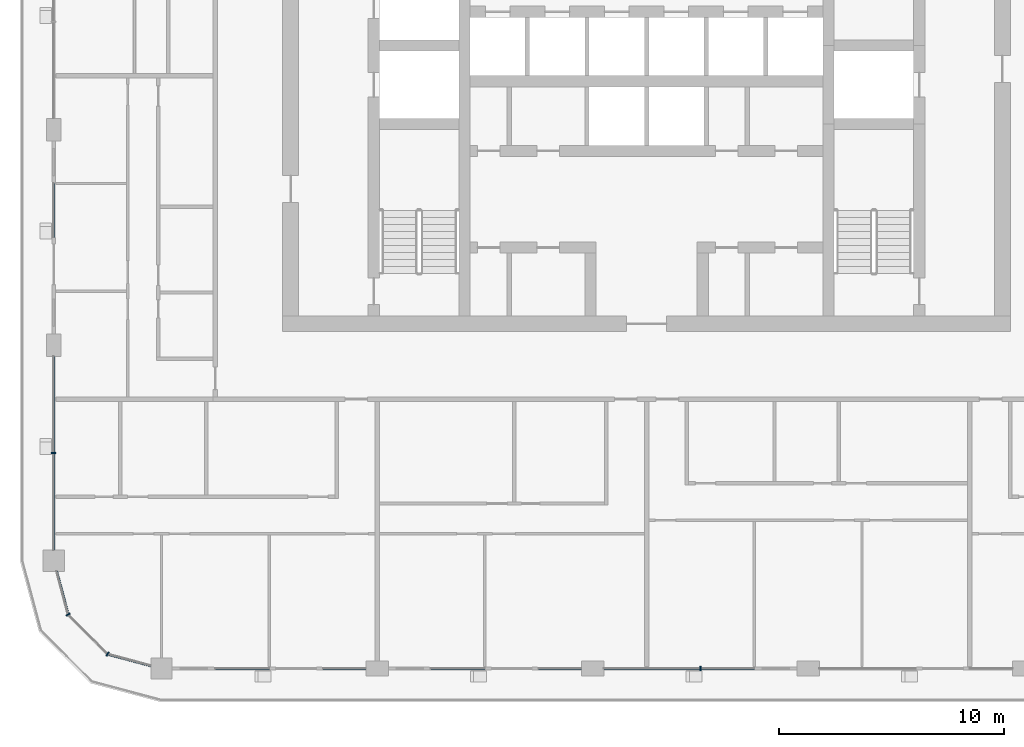
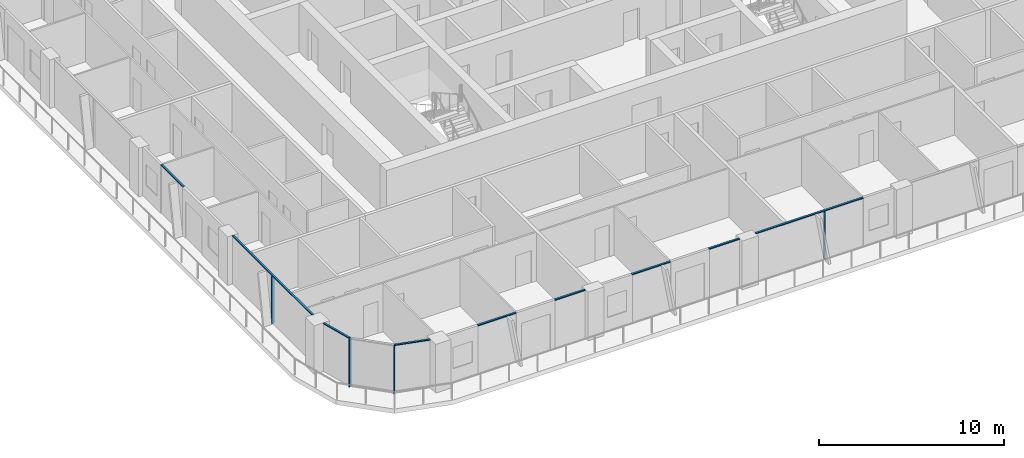
# One storey, part 2 of 22: 13 members, 6 elements without a shape of their own.
"""IFC4 building model written with IfcOpenShell, lengths in metres."""

from ifc_helpers import new_model, si_unit, direction, frame, origin, origin_2d, place, context, subcontext, project, spatial, rectangle, extrude, material, layer, layer_set, material_profile, profile_set, type_object, element, aggregate, save


model = new_model("IFC4")

# Units and contexts
model_context = context("Model", 3, precision=1e-05, world=origin(), true_north=direction((0.0, 1.0)))
body_context = subcontext(model_context, "Body", "Model", "MODEL_VIEW")
ifc_project = project(units=[si_unit("LENGTHUNIT", "METRE"), si_unit("AREAUNIT", "SQUARE_METRE"), si_unit("VOLUMEUNIT", "CUBIC_METRE"), si_unit("PLANEANGLEUNIT", "RADIAN"), si_unit("MASSUNIT", "GRAM", prefix="KILO")], contexts=[model_context])

# Site, building, storey
site_placement = place(None, origin())
site = spatial("IfcSite", under=ifc_project, at=site_placement, CompositionType="ELEMENT")
building_placement = place(site_placement, origin())
building = spatial("IfcBuilding", under=site, at=building_placement, Name="Madar Terraces", CompositionType="ELEMENT")
storey_placement = place(building_placement, frame((0.0, 0.0, 189.39990234375)))
storey = spatial("IfcBuildingStorey", under=building, at=storey_placement, Name="L49", CompositionType="ELEMENT", Elevation=189.39990234375)

# Curtain wall, member
ifc_material_1 = material(Name="Glass, ceramic frit dark grey, with black aluminium frame", Category="aluminium")
ifc_layer = layer(ifc_material_1, 0.199951171875)
ifc_layer_set = layer_set([ifc_layer], Name="Facade curtain wall, fritted glass")
curtain_wall_type = type_object("IfcCurtainWallType", Name="Facade curtain wall, fritted glass", PredefinedType="NOTDEFINED", material=ifc_layer_set)
curtain_wall_1_placement = place(storey_placement, origin())
curtain_wall_1 = element("IfcCurtainWall", 1, at=curtain_wall_1_placement, inside=storey, type_object=curtain_wall_type, Name="Outer skin curtain wall south bay 3", PredefinedType="NOTDEFINED")
ifc_material_2 = material(Name="Aluminium, black anodised", Category="aluminium")
ifc_material_profile_1 = material_profile(ifc_material_2, rectangle(XDim=0.199951171875, YDim=0.06005859375, at=origin_2d()), Name="Facade mullion 60x200")
ifc_profile_set_1 = profile_set([ifc_material_profile_1], Name="Aluminium, black anodised")
member_type_1 = type_object("IfcMemberType", Name="Facade mullion 60x200", PredefinedType="MULLION", material=ifc_profile_set_1)
member_1_placement = place(storey_placement, frame((33.60009765625, 0.0, 0.0), z_axis=(0.0, 0.0, 1.0), x_axis=(0.0, 1.0, 0.0)))
member_1 = element("IfcMember", 2, at=member_1_placement, type_object=member_type_1, Name="Mullion 1", PredefinedType="MULLION", context=body_context, shape_type="SweptSolid", body=[
    extrude(rectangle(XDim=0.199951171875, YDim=0.06005859375, at=origin_2d()), origin(), (0.0, 0.0, 1.0), 3.14013671875),
])

curtain_wall_2_placement = place(storey_placement, origin())
curtain_wall_2 = element("IfcCurtainWall", 3, at=curtain_wall_2_placement, inside=storey, type_object=curtain_wall_type, Name="Outer skin curtain wall west bay 4", PredefinedType="NOTDEFINED")
member_2_placement = place(storey_placement, frame((4.800048828125, 9.60009765625, 0.0), z_axis=(0.0, 0.0, 1.0), x_axis=(1.0, 0.0, 0.0)))
member_2 = element("IfcMember", 4, at=member_2_placement, type_object=member_type_1, Name="Mullion 1", PredefinedType="MULLION", context=body_context, shape_type="SweptSolid", body=[
    extrude(rectangle(XDim=0.199951171875, YDim=0.06005859375, at=origin_2d()), origin(), (0.0, 0.0, 1.0), 3.14013671875),
])

# Curtain wall, members
curtain_wall_3_placement = place(storey_placement, origin())
curtain_wall_3 = element("IfcCurtainWall", 5, at=curtain_wall_3_placement, inside=storey, type_object=curtain_wall_type, Name="Outer skin curtain wall south-west corner", PredefinedType="NOTDEFINED")
member_3_placement = place(storey_placement, frame((5.443115234375, 2.39990234375, 0.0), z_axis=(0.0, 0.0, 1.0), x_axis=(0.866025409797, 0.499999989586, 0.0)))
member_3 = element("IfcMember", 6, at=member_3_placement, type_object=member_type_1, Name="Mullion 1", PredefinedType="MULLION", context=body_context, shape_type="SweptSolid", body=[
    extrude(rectangle(XDim=0.199951171875, YDim=0.06005859375, at=origin_2d()), origin(), (0.0, 0.0, 1.0), 3.14013671875),
])
member_4_placement = place(storey_placement, frame((7.199951171875, 0.64306640625, 0.0), z_axis=(0.0, 0.0, 1.0), x_axis=(0.499999989586, 0.866025409797, 0.0)))
member_4 = element("IfcMember", 7, at=member_4_placement, type_object=member_type_1, Name="Mullion 2", PredefinedType="MULLION", context=body_context, shape_type="SweptSolid", body=[
    extrude(rectangle(XDim=0.199951171875, YDim=0.06005859375, at=origin_2d()), origin(), (0.0, 0.0, 1.0), 3.14013671875),
])

curtain_wall_4_placement = place(storey_placement, origin())
curtain_wall_4 = element("IfcCurtainWall", 8, at=curtain_wall_4_placement, inside=storey, type_object=curtain_wall_type, Name="Outer skin curtain wall south bay 1", PredefinedType="NOTDEFINED")
ifc_material_3 = material(Name="Aluminium, black anodised", Category="aluminium")
ifc_material_profile_2 = material_profile(ifc_material_3, rectangle(XDim=0.1201171875, YDim=0.06005859375, at=origin_2d()), Name="Facade transom 60x120")
ifc_profile_set_2 = profile_set([ifc_material_profile_2], Name="Aluminium, black anodised")
member_type_2 = type_object("IfcMemberType", Name="Facade transom 60x120", PredefinedType="USERDEFINED", material=ifc_profile_set_2)
member_5_placement = place(storey_placement, frame((12.0, 0.0, 3.170166015625), z_axis=(1.0, 0.0, 0.0), x_axis=(0.0, 1.0, 0.0)))
member_5 = element("IfcMember", 9, at=member_5_placement, type_object=member_type_2, Name="Transom 1", ObjectType="TRANSOM", PredefinedType="USERDEFINED", context=body_context, shape_type="SweptSolid", body=[
    extrude(rectangle(XDim=0.1201171875, YDim=0.06005859375, at=origin_2d()), origin(), (0.0, 0.0, 1.0), 2.39990234375),
])
member_6_placement = place(storey_placement, frame((16.800048828125, 0.0, 3.170166015625), z_axis=(1.0, 0.0, 0.0), x_axis=(0.0, 1.0, 0.0)))
member_6 = element("IfcMember", 10, at=member_6_placement, type_object=member_type_2, Name="Transom 2", ObjectType="TRANSOM", PredefinedType="USERDEFINED", context=body_context, shape_type="SweptSolid", body=[
    extrude(rectangle(XDim=0.1201171875, YDim=0.06005859375, at=origin_2d()), origin(), (0.0, 0.0, 1.0), 1.89990234375),
])
aggregate(curtain_wall_4, [member_5, member_6])

curtain_wall_5_placement = place(storey_placement, origin())
curtain_wall_5 = element("IfcCurtainWall", 11, at=curtain_wall_5_placement, inside=storey, type_object=curtain_wall_type, Name="Outer skin curtain wall south bay 2", PredefinedType="NOTDEFINED")
member_7_placement = place(storey_placement, frame((21.60009765625, 0.0, 3.170166015625), z_axis=(1.0, 0.0, 0.0), x_axis=(0.0, 1.0, 0.0)))
member_7 = element("IfcMember", 12, at=member_7_placement, type_object=member_type_2, Name="Transom 1", ObjectType="TRANSOM", PredefinedType="USERDEFINED", context=body_context, shape_type="SweptSolid", body=[
    extrude(rectangle(XDim=0.1201171875, YDim=0.06005859375, at=origin_2d()), origin(), (0.0, 0.0, 1.0), 2.39990234375),
])
member_8_placement = place(storey_placement, frame((26.39990234375, 0.0, 3.170166015625), z_axis=(1.0, 0.0, 0.0), x_axis=(0.0, 1.0, 0.0)))
member_8 = element("IfcMember", 13, at=member_8_placement, type_object=member_type_2, Name="Transom 2", ObjectType="TRANSOM", PredefinedType="USERDEFINED", context=body_context, shape_type="SweptSolid", body=[
    extrude(rectangle(XDim=0.1201171875, YDim=0.06005859375, at=origin_2d()), origin(), (0.0, 0.0, 1.0), 1.900146484375),
])
aggregate(curtain_wall_5, [member_7, member_8])

# Member
member_9_placement = place(storey_placement, frame((29.300048828125, 0.0, 3.170166015625), z_axis=(1.0, 0.0, 0.0), x_axis=(0.0, 1.0, 0.0)))
member_9 = element("IfcMember", 14, at=member_9_placement, type_object=member_type_2, Name="Transom 1", ObjectType="TRANSOM", PredefinedType="USERDEFINED", context=body_context, shape_type="SweptSolid", body=[
    extrude(rectangle(XDim=0.1201171875, YDim=0.06005859375, at=origin_2d()), origin(), (0.0, 0.0, 1.0), 6.699951171875),
])

aggregate(curtain_wall_1, [member_1, member_9])

# Curtain wall, member
curtain_wall_6_placement = place(storey_placement, origin())
curtain_wall_6 = element("IfcCurtainWall", 15, at=curtain_wall_6_placement, inside=storey, type_object=curtain_wall_type, Name="Outer skin curtain wall west bay 3", PredefinedType="NOTDEFINED")
member_10_placement = place(storey_placement, frame((4.800048828125, 21.60009765625, 3.170166015625), z_axis=(0.0, -1.0, 0.0), x_axis=(1.0, 0.0, 0.0)))
member_10 = element("IfcMember", 16, at=member_10_placement, type_object=member_type_2, Name="Transom 1", ObjectType="TRANSOM", PredefinedType="USERDEFINED", context=body_context, shape_type="SweptSolid", body=[
    extrude(rectangle(XDim=0.1201171875, YDim=0.06005859375, at=origin_2d()), origin(), (0.0, 0.0, 1.0), 2.400146484375),
])
aggregate(curtain_wall_6, [member_10])

# Member
member_11_placement = place(storey_placement, frame((4.800048828125, 13.89990234375, 3.170166015625), z_axis=(0.0, -1.0, 0.0), x_axis=(1.0, 0.0, 0.0)))
member_11 = element("IfcMember", 17, at=member_11_placement, type_object=member_type_2, Name="Transom 1", ObjectType="TRANSOM", PredefinedType="USERDEFINED", context=body_context, shape_type="SweptSolid", body=[
    extrude(rectangle(XDim=0.1201171875, YDim=0.06005859375, at=origin_2d()), origin(), (0.0, 0.0, 1.0), 8.625),
])

aggregate(curtain_wall_2, [member_2, member_11])

member_12_placement = place(storey_placement, frame((4.92724609375, 4.324951171875, 3.170166015625), z_axis=(0.258831412352, -0.96592251241, 0.0), x_axis=(0.96592251241, 0.258831412352, 0.0)))
member_12 = element("IfcMember", 18, at=member_12_placement, type_object=member_type_2, Name="Transom 1", ObjectType="TRANSOM", PredefinedType="USERDEFINED", context=body_context, shape_type="SweptSolid", body=[
    extrude(rectangle(XDim=0.1201171875, YDim=0.06005859375, at=origin_2d()), origin(), (0.0, 0.0, 1.0), 1.962890625),
])

member_13_placement = place(storey_placement, frame((7.22900390625, 0.63525390625, 3.170166015625), z_axis=(0.96592251241, -0.258831412352, 0.0), x_axis=(0.258831412352, 0.96592251241, 0.0)))
member_13 = element("IfcMember", 19, at=member_13_placement, type_object=member_type_2, Name="Transom 3", ObjectType="TRANSOM", PredefinedType="USERDEFINED", context=body_context, shape_type="SweptSolid", body=[
    extrude(rectangle(XDim=0.1201171875, YDim=0.06005859375, at=origin_2d()), origin(), (0.0, 0.0, 1.0), 1.962890625),
])

aggregate(curtain_wall_3, [member_3, member_12, member_4, member_13])

save(model, "model.ifc")
